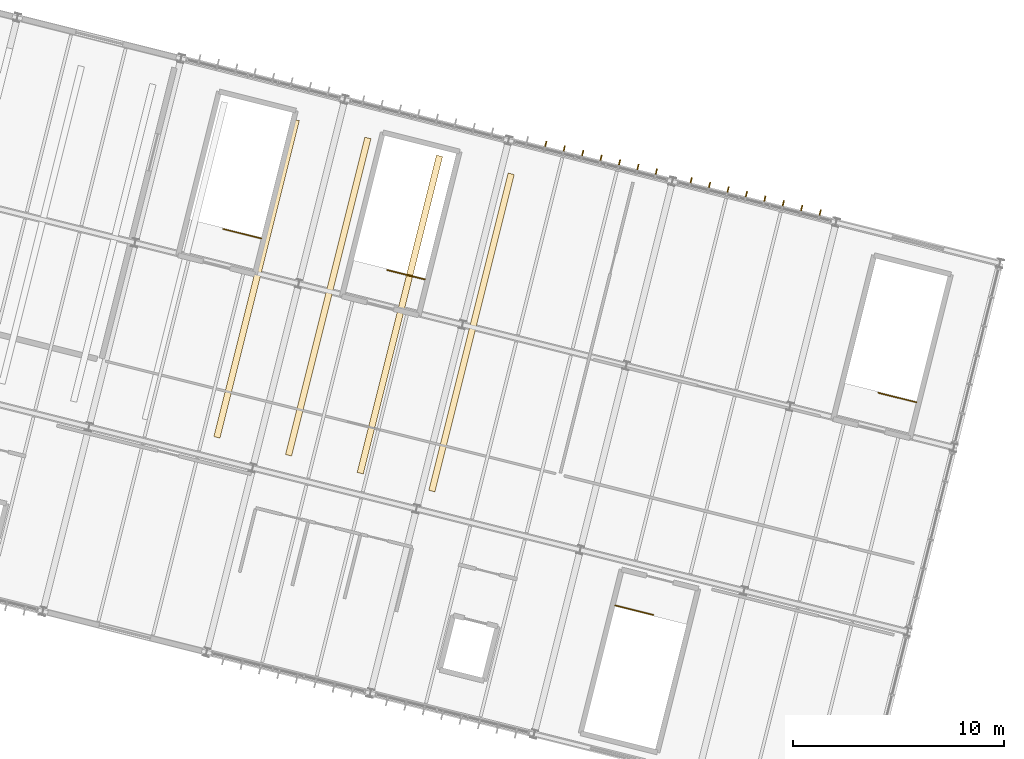
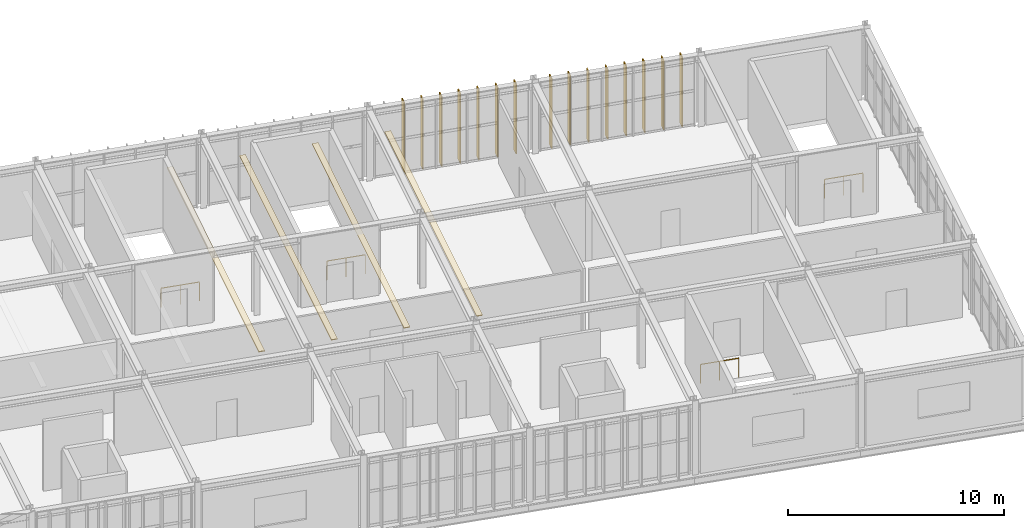
# One storey, part 29 of 30: 15 shading devices, 4 coverings, 4 railings.
"""IFC4 building model written with IfcOpenShell, lengths in metres."""

from ifc_helpers import new_model, si_unit, derived_unit, direction, frame, origin, origin_2d, place, context, subcontext, project, spatial, polyline, rectangle, circle, outline, extrude, material, layer, layer_set, type_object, element, save


model = new_model("IFC4")

# Units and contexts
model_context = context("Model", 3, precision=1e-05, world=origin(), true_north=direction((0.0, 1.0)))
body_context = subcontext(model_context, "Body", "Model", "MODEL_VIEW")
ifc_project = project(units=[si_unit("LENGTHUNIT", "METRE"), si_unit("AREAUNIT", "SQUARE_METRE"), si_unit("VOLUMEUNIT", "CUBIC_METRE"), si_unit("PLANEANGLEUNIT", "RADIAN"), si_unit("MASSUNIT", "GRAM", prefix="KILO"), si_unit("THERMODYNAMICTEMPERATUREUNIT", "KELVIN"), si_unit("TIMEUNIT", "SECOND"), derived_unit("THERMALTRANSMITTANCEUNIT", [(si_unit("MASSUNIT", "GRAM", prefix="KILO"), 1), (si_unit("THERMODYNAMICTEMPERATUREUNIT", "KELVIN"), -1), (si_unit("TIMEUNIT", "SECOND"), -3)])], contexts=[model_context])

# Site, building, storey
site_placement = place(None, origin())
site = spatial("IfcSite", under=ifc_project, at=site_placement, CompositionType="ELEMENT")
building_placement = place(site_placement, origin())
building = spatial("IfcBuilding", under=site, at=building_placement, Name="Cambertide Market Hall", CompositionType="ELEMENT")
storey_placement = place(building_placement, frame((0.0, 0.0, 14.10009765625)))
storey = spatial("IfcBuildingStorey", under=building, at=storey_placement, Name="L04", CompositionType="ELEMENT", Elevation=14.10009765625)

# Coverings
ifc_material_1 = material(Name="Perforated Aluminium Acoustic Baffle", Category="aluminium")
ifc_layer_1 = layer(ifc_material_1, 0.0400390625, Name="Perforated Aluminium Acoustic Baffle 40")
ifc_layer_set_1 = layer_set([ifc_layer_1], Name="Perforated Aluminium Acoustic Baffle")
covering_type = type_object("IfcCoveringType", Name="Perforated Aluminium Acoustic Baffle 40", PredefinedType="CEILING", material=ifc_layer_set_1)
covering_1_placement = place(storey_placement, frame((0.0, 0.0, 3.56982421875)))
element("IfcCovering", 1, at=covering_1_placement, inside=storey, type_object=covering_type, Name="Level 4 Acoustic Ceiling Baffle 09", PredefinedType="CEILING", context=body_context, shape_type="SweptSolid", body=[
    extrude(outline(polyline([(139.384033203125, 102.461669921875), (139.675048828125, 102.388916015625), (143.4345703125, 117.42626953125), (143.143310546875, 117.4990234375), (139.384033203125, 102.461669921875)])), origin(), (0.0, 0.0, 1.0), 0.0400390625),
])
covering_2_placement = place(storey_placement, frame((0.0, 0.0, 3.56982421875)))
element("IfcCovering", 2, at=covering_2_placement, inside=storey, type_object=covering_type, Name="Level 4 Acoustic Ceiling Baffle 10", PredefinedType="CEILING", context=body_context, shape_type="SweptSolid", body=[
    extrude(outline(polyline([(142.779541015625, 101.61279296875), (143.070556640625, 101.5400390625), (146.829833984375, 116.577392578125), (146.538818359375, 116.650146484375), (142.779541015625, 101.61279296875)])), origin(), (0.0, 0.0, 1.0), 0.0400390625),
])
covering_3_placement = place(storey_placement, frame((0.0, 0.0, 3.56982421875)))
element("IfcCovering", 3, at=covering_3_placement, inside=storey, type_object=covering_type, Name="Level 4 Acoustic Ceiling Baffle 11", PredefinedType="CEILING", context=body_context, shape_type="SweptSolid", body=[
    extrude(outline(polyline([(146.175048828125, 100.763916015625), (146.466064453125, 100.691162109375), (150.225341796875, 115.728515625), (149.934326171875, 115.80126953125), (146.175048828125, 100.763916015625)])), origin(), (0.0, 0.0, 1.0), 0.0400390625),
])
covering_4_placement = place(storey_placement, frame((0.0, 0.0, 3.56982421875)))
element("IfcCovering", 4, at=covering_4_placement, inside=storey, type_object=covering_type, Name="Level 4 Acoustic Ceiling Baffle 12", PredefinedType="CEILING", context=body_context, shape_type="SweptSolid", body=[
    extrude(outline(polyline([(149.570556640625, 99.9150390625), (149.861572265625, 99.84228515625), (153.620849609375, 114.879638671875), (153.329833984375, 114.952392578125), (149.570556640625, 99.9150390625)])), origin(), (0.0, 0.0, 1.0), 0.0400390625),
])

# Railings
ifc_material_2 = material(Name="Stainless Steel Grade 316", Category="metal")
railing_type = type_object("IfcRailingType", Name="Stairwell Inner Guardrail 1100", PredefinedType="GUARDRAIL", material=ifc_material_2)
railing_1_placement = place(storey_placement, frame((141.627685546875, 111.847900390625, 0.0)))
element("IfcRailing", 5, at=railing_1_placement, inside=storey, type_object=railing_type, Name="Level 4 ST-07B top well guard 1", PredefinedType="GUARDRAIL", context=body_context, shape_type="SweptSolid", body=[
    extrude(circle(Radius=0.02392578125, at=origin_2d()), frame((0.0, 0.0, 1.076171875), z_axis=(-0.970142500145, 0.242535625036, 0.0), x_axis=(-0.242535625036, -0.970142500145, 0.0)), (0.0, 0.0, 1.0), 1.85009765625),
    extrude(circle(Radius=0.02099609375, at=origin_2d()), origin(), (0.0, 0.0, 1.0), 1.052001953125),
    extrude(circle(Radius=0.02099609375, at=origin_2d()), frame((-0.8974609375, 0.224365234375, 0.0)), (0.0, 0.0, 1.0), 1.052001953125),
    extrude(circle(Radius=0.02099609375, at=origin_2d()), frame((-1.794921875, 0.44873046875, 0.0)), (0.0, 0.0, 1.0), 1.052001953125),
])
railing_2_placement = place(storey_placement, frame((158.4111328125, 94.4580078125, 0.0)))
element("IfcRailing", 6, at=railing_2_placement, inside=storey, type_object=railing_type, Name="Level 4 ST-08A top well guard 1", PredefinedType="GUARDRAIL", context=body_context, shape_type="SweptSolid", body=[
    extrude(circle(Radius=0.02392578125, at=origin_2d()), frame((0.0, 0.0, 1.076171875), z_axis=(0.970134736521, -0.242566677422, 0.0), x_axis=(0.242566677422, 0.970134736521, 0.0)), (0.0, 0.0, 1.0), 1.849853515625),
    extrude(circle(Radius=0.02099609375, at=origin_2d()), origin(), (0.0, 0.0, 1.0), 1.052001953125),
    extrude(circle(Radius=0.02099609375, at=origin_2d()), frame((0.8974609375, -0.224365234375, 0.0)), (0.0, 0.0, 1.0), 1.052001953125),
    extrude(circle(Radius=0.02099609375, at=origin_2d()), frame((1.794677734375, -0.44873046875, 0.0)), (0.0, 0.0, 1.0), 1.052001953125),
])
for number, where, name in (
    (7, (172.672119140625, 104.086669921875, 0.0), "Level 4 ST-08B top well guard 1"),
    (8, (149.388671875, 109.907470703125, 0.0), "Level 4 ST-09 top well guard 1"),
):
    element("IfcRailing", number, at=place(storey_placement, frame(where)), inside=storey, type_object=railing_type, Name=name, PredefinedType="GUARDRAIL", context=body_context, shape_type="SweptSolid", body=[
        extrude(circle(Radius=0.02392578125, at=origin_2d()), frame((0.0, 0.0, 1.076171875), z_axis=(-0.970134736521, 0.242566677422, 0.0), x_axis=(-0.242566677422, -0.970134736521, 0.0)), (0.0, 0.0, 1.0), 1.849853515625),
        extrude(circle(Radius=0.02099609375, at=origin_2d()), origin(), (0.0, 0.0, 1.0), 1.052001953125),
        extrude(circle(Radius=0.02099609375, at=origin_2d()), frame((-0.8974609375, 0.224365234375, 0.0)), (0.0, 0.0, 1.0), 1.052001953125),
        extrude(circle(Radius=0.02099609375, at=origin_2d()), frame((-1.794677734375, 0.44873046875, 0.0)), (0.0, 0.0, 1.0), 1.052001953125),
    ])

# Shading devices
ifc_material_3 = material(Name="Champagne Marine Anodized Aluminium 6063-T6 AA25", Category="aluminium")
ifc_layer_2 = layer(ifc_material_3, 0.054931640625, Name="Wing Facade Vertical Sun Fin 380x55")
ifc_layer_set_2 = layer_set([ifc_layer_2], Name="Champagne Marine Anodized Aluminium 6063-T6 AA25")
shading_device_type = type_object("IfcShadingDeviceType", Name="Wing Facade Vertical Sun Fin 380x55", PredefinedType="JALOUSIE", material=ifc_layer_set_2)
for number, where, z_axis, x_axis, name in (
    (9, (155.102783203125, 116.271728515625, 0.0), (0.0, 0.0, 1.0), (0.970142500145, -0.242535625038, 0.0), "CW-V4N-L04-6 Vertical Fin 2"),
    (10, (155.97607421875, 116.053466796875, 0.0), (0.0, 0.0, 1.0), (0.970142500145, -0.242535625038, 0.0), "CW-V4N-L04-6 Vertical Fin 3"),
    (11, (156.84912109375, 115.835205078125, 0.0), (0.0, 0.0, 1.0), (0.970142500145, -0.242535625038, 0.0), "CW-V4N-L04-6 Vertical Fin 4"),
    (12, (157.72216796875, 115.616943359375, 0.0), (0.0, 0.0, 1.0), (0.970142500145, -0.242535625038, 0.0), "CW-V4N-L04-6 Vertical Fin 5"),
    (13, (158.595458984375, 115.398681640625, 0.0), (0.0, 0.0, 1.0), (0.970142500145, -0.242535625038, 0.0), "CW-V4N-L04-6 Vertical Fin 6"),
    (14, (159.468505859375, 115.180419921875, 0.0), (0.0, 0.0, 1.0), (0.970142500145, -0.242535625038, 0.0), "CW-V4N-L04-6 Vertical Fin 7"),
    (15, (160.341552734375, 114.9619140625, 0.0), (0.0, 0.0, 1.0), (0.970142500145, -0.242535625038, 0.0), "CW-V4N-L04-6 Vertical Fin 8"),
    (16, (161.990966796875, 114.5498046875, 0.0), (0.0, 0.0, 1.0), (0.970142500145, -0.242535625038, 0.0), "CW-V4N-L04-7 Vertical Fin 1"),
    (17, (162.864013671875, 114.33154296875, 0.0), (0.0, 0.0, 1.0), (0.970142500145, -0.242535625038, 0.0), "CW-V4N-L04-7 Vertical Fin 2"),
    (18, (163.737060546875, 114.113037109375, 0.0), (0.0, 0.0, 1.0), (0.970142500145, -0.242535625038, 0.0), "CW-V4N-L04-7 Vertical Fin 3"),
    (19, (164.6103515625, 113.894775390625, 0.0), (0.0, 0.0, 1.0), (0.970142500145, -0.242535625038, 0.0), "CW-V4N-L04-7 Vertical Fin 4"),
    (20, (165.4833984375, 113.676513671875, 0.0), (0.0, 0.0, 1.0), (0.970142500145, -0.242535625038, 0.0), "CW-V4N-L04-7 Vertical Fin 5"),
    (21, (166.3564453125, 113.458251953125, 0.0), (0.0, 0.0, 1.0), (0.970142500145, -0.242535625038, 0.0), "CW-V4N-L04-7 Vertical Fin 6"),
    (22, (167.229736328125, 113.239990234375, 0.0), (0.0, 0.0, 1.0), (0.970142500145, -0.242535625038, 0.0), "CW-V4N-L04-7 Vertical Fin 7"),
    (23, (168.102783203125, 113.021728515625, 0.0), (0.0, 0.0, 1.0), (0.970142500145, -0.242535625038, 0.0), "CW-V4N-L04-7 Vertical Fin 8"),
):
    element("IfcShadingDevice", number, at=place(storey_placement, frame(where, z_axis=z_axis, x_axis=x_axis)), inside=storey, type_object=shading_device_type, Name=name, PredefinedType="JALOUSIE", context=body_context, shape_type="SweptSolid", body=[
        extrude(rectangle(XDim=0.054931640625, YDim=0.3798828125, at=origin_2d()), origin(), (0.0, 0.0, 1.0), 3.9599609375),
    ])

save(model, "model.ifc")
